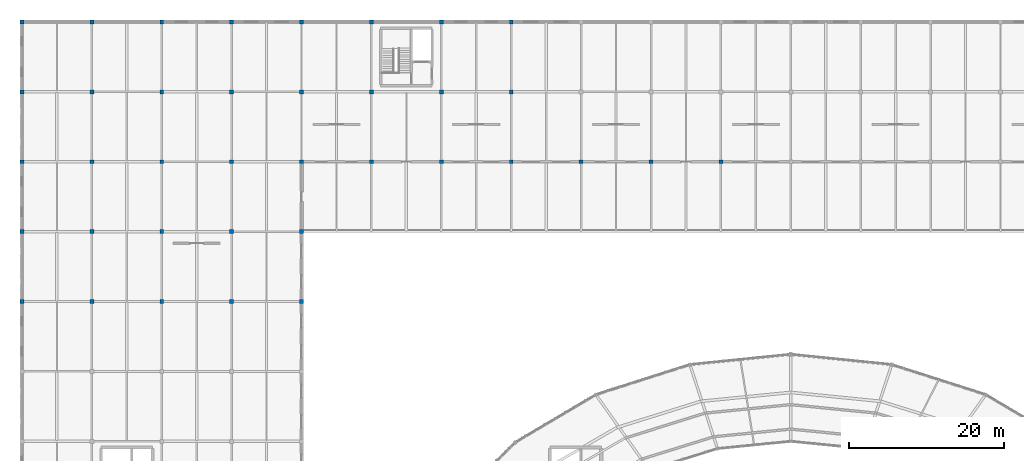
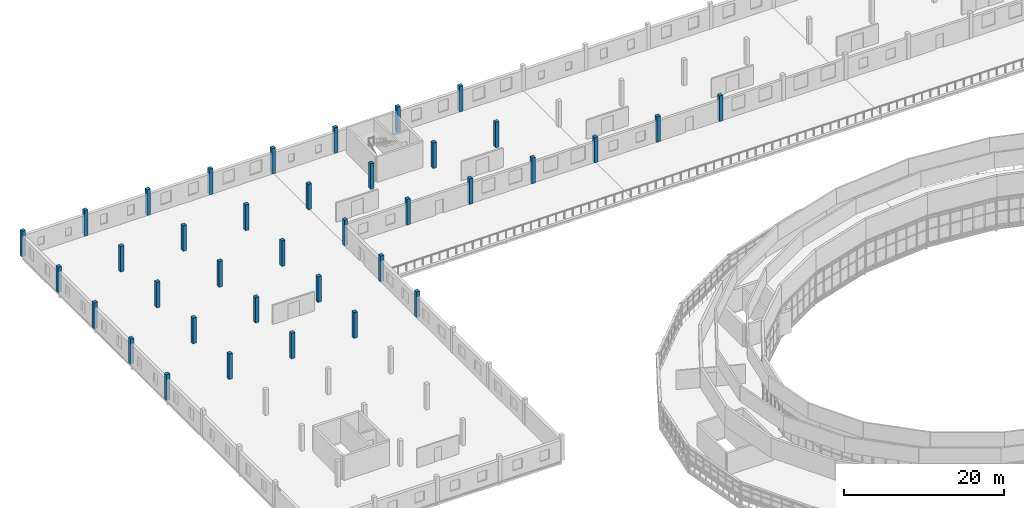
# One storey, part 25 of 123: 37 columns.
"""IFC4 building model written with IfcOpenShell, lengths in metres."""

from ifc_helpers import new_model, si_unit, direction, frame, origin, origin_2d, place, context, subcontext, project, spatial, rectangle, extrude, material, material_profile, profile_set, type_object, element, save


model = new_model("IFC4")

# Units and contexts
model_context = context("Model", 3, precision=1e-05, world=origin(), true_north=direction((0.0, 1.0)))
body_context = subcontext(model_context, "Body", "Model", "MODEL_VIEW")
ifc_project = project(units=[si_unit("LENGTHUNIT", "METRE"), si_unit("AREAUNIT", "SQUARE_METRE"), si_unit("VOLUMEUNIT", "CUBIC_METRE"), si_unit("PLANEANGLEUNIT", "RADIAN"), si_unit("MASSUNIT", "GRAM", prefix="KILO")], contexts=[model_context])

# Site, building, storey
site_placement = place(None, origin())
site = spatial("IfcSite", under=ifc_project, at=site_placement, CompositionType="ELEMENT")
building_placement = place(site_placement, origin())
building = spatial("IfcBuilding", under=site, at=building_placement, Name="Kildeholm Park Wholesale Market", CompositionType="ELEMENT")
storey_placement = place(building_placement, frame((0.0, 0.0, 9.60009765625)))
storey = spatial("IfcBuildingStorey", under=building, at=storey_placement, Name="L02", CompositionType="ELEMENT", Elevation=9.60009765625)

# Columns
ifc_material = material(Name="Concrete C40/50", Category="concrete")
ifc_material_profile = material_profile(ifc_material, rectangle(XDim=0.5, YDim=0.5, at=origin_2d()), Name="RC 500x500")
ifc_profile_set = profile_set([ifc_material_profile], Name="Concrete C40/50")
column_type = type_object("IfcColumnType", Name="Column C-R01 RC 500x500", PredefinedType="COLUMN", material=ifc_profile_set)
for number, where, z_axis, x_axis, name in (
    (1, (0.0, 135.0, 0.0), (0.0, 0.0, 1.0), (1.0, 0.0, 0.0), "Column V4-000-135 L02 COL-0343"),
    (2, (0.0, 144.0, 0.0), (0.0, 0.0, 1.0), (1.0, 0.0, 0.0), "Column V4-000-144 L02 COL-0346"),
    (3, (0.0, 153.0, 0.0), (0.0, 0.0, 1.0), (1.0, 0.0, 0.0), "Column V4-000-153 L02 COL-0349"),
    (4, (0.0, 162.0, 0.0), (0.0, 0.0, 1.0), (1.0, 0.0, 0.0), "Column V4-000-162 L02 COL-0352"),
    (5, (0.0, 171.0, 0.0), (0.0, 0.0, 1.0), (1.0, 0.0, 0.0), "Column V4-000-171 L02 COL-0355"),
    (6, (9.0, 135.0, 0.0), (0.0, 0.0, 1.0), (1.0, 0.0, 0.0), "Column V4-009-135 L02 COL-0370"),
    (7, (9.0, 144.0, 0.0), (0.0, 0.0, 1.0), (1.0, 0.0, 0.0), "Column V4-009-144 L02 COL-0373"),
    (8, (9.0, 153.0, 0.0), (0.0, 0.0, 1.0), (1.0, 0.0, 0.0), "Column V4-009-153 L02 COL-0376"),
    (9, (9.0, 162.0, 0.0), (0.0, 0.0, 1.0), (1.0, 0.0, 0.0), "Column V4-009-162 L02 COL-0379"),
    (10, (9.0, 171.0, 0.0), (0.0, 0.0, 1.0), (1.0, 0.0, 0.0), "Column V4-009-171 L02 COL-0382"),
    (11, (18.0, 135.0, 0.0), (0.0, 0.0, 1.0), (1.0, 0.0, 0.0), "Column V4-018-135 L02 COL-0397"),
    (12, (18.0, 144.0, 0.0), (0.0, 0.0, 1.0), (1.0, 0.0, 0.0), "Column V4-018-144 L02 COL-0400"),
    (13, (18.0, 153.0, 0.0), (0.0, 0.0, 1.0), (1.0, 0.0, 0.0), "Column V4-018-153 L02 COL-0403"),
    (14, (18.0, 162.0, 0.0), (0.0, 0.0, 1.0), (1.0, 0.0, 0.0), "Column V4-018-162 L02 COL-0406"),
    (15, (18.0, 171.0, 0.0), (0.0, 0.0, 1.0), (1.0, 0.0, 0.0), "Column V4-018-171 L02 COL-0409"),
    (16, (27.0, 135.0, 0.0), (0.0, 0.0, 1.0), (1.0, 0.0, 0.0), "Column V4-027-135 L02 COL-0424"),
    (17, (27.0, 144.0, 0.0), (0.0, 0.0, 1.0), (1.0, 0.0, 0.0), "Column V4-027-144 L02 COL-0427"),
    (18, (27.0, 153.0, 0.0), (0.0, 0.0, 1.0), (1.0, 0.0, 0.0), "Column V4-027-153 L02 COL-0430"),
    (19, (27.0, 162.0, 0.0), (0.0, 0.0, 1.0), (1.0, 0.0, 0.0), "Column V4-027-162 L02 COL-0433"),
    (20, (27.0, 171.0, 0.0), (0.0, 0.0, 1.0), (1.0, 0.0, 0.0), "Column V4-027-171 L02 COL-0436"),
    (21, (36.0, 135.0, 0.0), (0.0, 0.0, 1.0), (1.0, 0.0, 0.0), "Column V4-036-135 L02 COL-0451"),
    (22, (36.0, 144.0, 0.0), (0.0, 0.0, 1.0), (1.0, 0.0, 0.0), "Column V4-036-144 L02 COL-0454"),
    (23, (36.0, 153.0, 0.0), (0.0, 0.0, 1.0), (1.0, 0.0, 0.0), "Column V4-036-153 L02 COL-0457"),
    (24, (36.0, 162.0, 0.0), (0.0, 0.0, 1.0), (1.0, 0.0, 0.0), "Column V4-036-162 L02 COL-0460"),
    (25, (36.0, 171.0, 0.0), (0.0, 0.0, 1.0), (1.0, 0.0, 0.0), "Column V4-036-171 L02 COL-0463"),
    (26, (45.0, 153.0, 0.0), (0.0, 0.0, 1.0), (1.0, 0.0, 0.0), "Column V4-045-153 L02 COL-0468"),
    (27, (45.0, 162.0, 0.0), (0.0, 0.0, 1.0), (1.0, 0.0, 0.0), "Column V4-045-162 L02 COL-0471"),
    (28, (45.0, 171.0, 0.0), (0.0, 0.0, 1.0), (1.0, 0.0, 0.0), "Column V4-045-171 L02 COL-0474"),
    (29, (54.0, 153.0, 0.0), (0.0, 0.0, 1.0), (1.0, 0.0, 0.0), "Column V4-054-153 L02 COL-0479"),
    (30, (54.0, 162.0, 0.0), (0.0, 0.0, 1.0), (1.0, 0.0, 0.0), "Column V4-054-162 L02 COL-0482"),
    (31, (54.0, 171.0, 0.0), (0.0, 0.0, 1.0), (1.0, 0.0, 0.0), "Column V4-054-171 L02 COL-0485"),
    (32, (63.0, 153.0, 0.0), (0.0, 0.0, 1.0), (1.0, 0.0, 0.0), "Column V4-063-153 L02 COL-0490"),
    (33, (63.0, 162.0, 0.0), (0.0, 0.0, 1.0), (1.0, 0.0, 0.0), "Column V4-063-162 L02 COL-0493"),
    (34, (63.0, 171.0, 0.0), (0.0, 0.0, 1.0), (1.0, 0.0, 0.0), "Column V4-063-171 L02 COL-0496"),
    (35, (72.0, 153.0, 0.0), (0.0, 0.0, 1.0), (1.0, 0.0, 0.0), "Column V4-072-153 L02 COL-0501"),
    (36, (81.0, 153.0, 0.0), (0.0, 0.0, 1.0), (1.0, 0.0, 0.0), "Column V4-081-153 L02 COL-0512"),
    (37, (90.0, 153.0, 0.0), (0.0, 0.0, 1.0), (1.0, 0.0, 0.0), "Column V4-090-153 L02 COL-0523"),
):
    element("IfcColumn", number, at=place(storey_placement, frame(where, z_axis=z_axis, x_axis=x_axis)), inside=storey, type_object=column_type, Name=name, PredefinedType="COLUMN", context=body_context, shape_type="SweptSolid", body=[
        extrude(rectangle(XDim=0.5, YDim=0.5, at=origin_2d()), origin(), (0.0, 0.0, 1.0), 3.89990234375),
    ])

save(model, "model.ifc")
